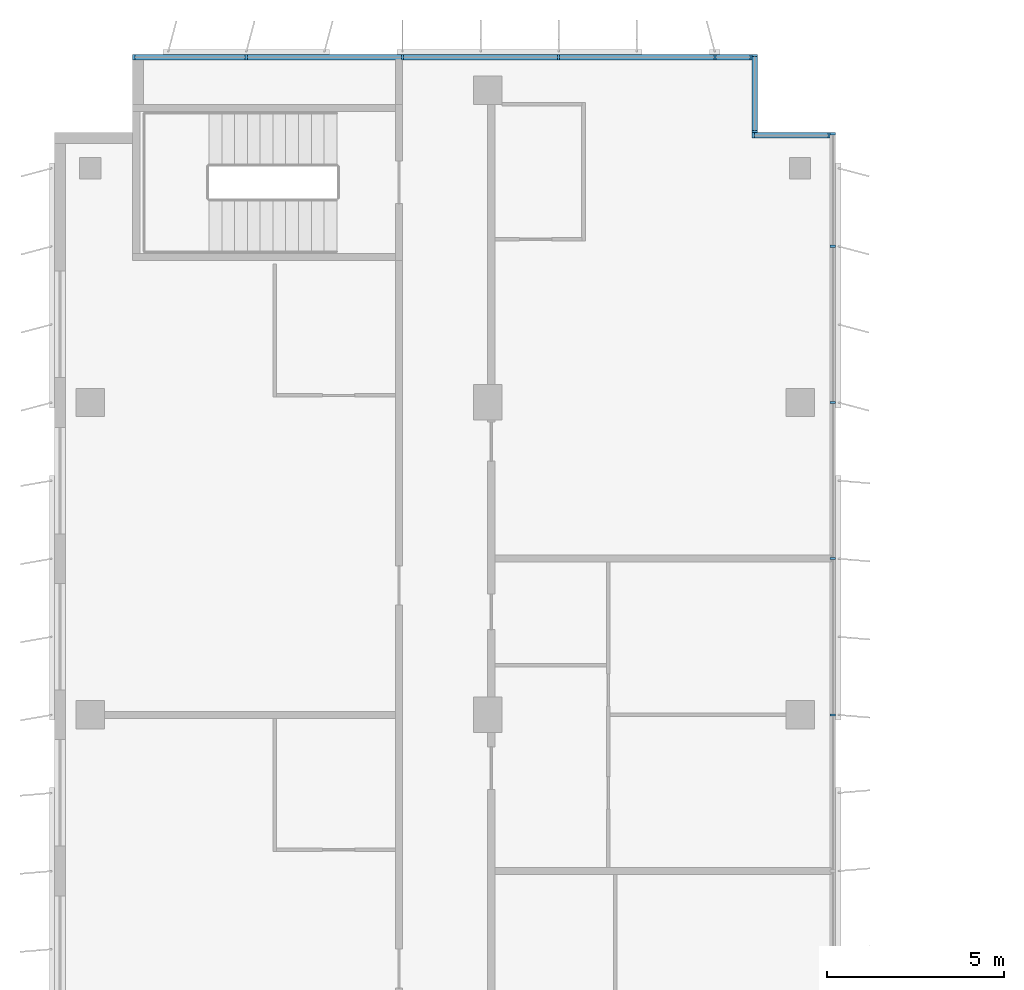
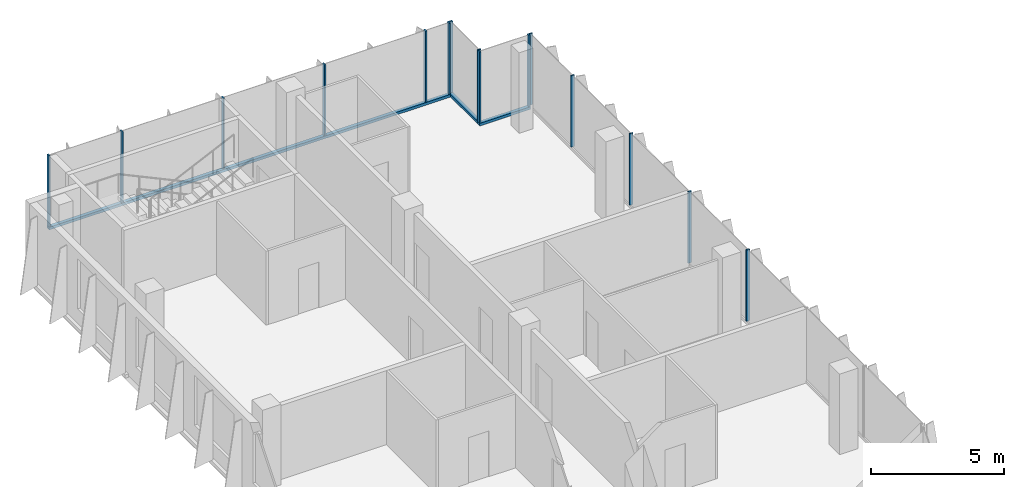
# One storey, part 6 of 15: 18 members, 4 elements without a shape of their own.
"""IFC4 building model written with IfcOpenShell, lengths in metres."""

from ifc_helpers import new_model, si_unit, direction, frame, origin, origin_2d, place, context, subcontext, project, spatial, rectangle, extrude, source, transform, mapped, material, material_profile, profile_set, type_object, element, aggregate, save


model = new_model("IFC4")

# Units and contexts
model_context = context("Model", 3, precision=1e-05, world=origin(), true_north=direction((0.0, 1.0)))
body_context = subcontext(model_context, "Body", "Model", "MODEL_VIEW")
ifc_project = project(units=[si_unit("LENGTHUNIT", "METRE"), si_unit("AREAUNIT", "SQUARE_METRE"), si_unit("VOLUMEUNIT", "CUBIC_METRE"), si_unit("PLANEANGLEUNIT", "RADIAN"), si_unit("MASSUNIT", "GRAM", prefix="KILO")], contexts=[model_context])

# Site, building, storey
site_placement = place(None, origin())
site = spatial("IfcSite", under=ifc_project, at=site_placement, CompositionType="ELEMENT")
building_placement = place(site_placement, origin())
building = spatial("IfcBuilding", under=site, at=building_placement, Name="Kemantara Hotel Tower", CompositionType="ELEMENT")
storey_placement = place(building_placement, frame((0.0, 0.0, 264.800048828125)))
storey = spatial("IfcBuildingStorey", under=building, at=storey_placement, Name="L66", CompositionType="ELEMENT", Elevation=264.800048828125)

# Curtain wall, member
ifc_material_1 = material(Name="Low-E tinted double insulated glass 36 mm", Category="glass")
curtain_wall_type = type_object("IfcCurtainWallType", Name="TOWER CURTAIN WALL, FRONT FACES", PredefinedType="USERDEFINED", material=ifc_material_1)
curtain_wall_1_placement = place(storey_placement, origin())
curtain_wall_1 = element("IfcCurtainWall", 1, at=curtain_wall_1_placement, inside=storey, type_object=curtain_wall_type, Name="CW4 L66 T4-R02-1", ObjectType="TOWER CURTAIN WALL, FRONT FACES", PredefinedType="USERDEFINED")
ifc_material_2 = material(Name="Aluminium 6063-T6 bronze anodised", Category="aluminium")
ifc_material_profile_1 = material_profile(ifc_material_2, rectangle(XDim=0.14990234375, YDim=0.1201171875, at=origin_2d()), Name="TOWER CURTAIN WALL, FRONT FACES TRANSOM")
ifc_profile_set_1 = profile_set([ifc_material_profile_1], Name="Aluminium 6063-T6 bronze anodised")
member_type_1 = type_object("IfcMemberType", Name="TOWER CURTAIN WALL, FRONT FACES TRANSOM", PredefinedType="USERDEFINED", material=ifc_profile_set_1)
member_1_placement = place(storey_placement, frame((19.64990234375, 63.52490234375, 0.06005859375), z_axis=(-1.0, 0.0, 0.0), x_axis=(0.0, -1.0, 0.0)))
member_1 = element("IfcMember", 2, at=member_1_placement, type_object=member_type_1, Name="CW4 sill transom T4-R02-1", ObjectType="TRANSOM", PredefinedType="USERDEFINED", context=body_context, shape_type="SweptSolid", body=[
    extrude(rectangle(XDim=0.14990234375, YDim=0.1201171875, at=origin_2d()), origin(), (0.0, 0.0, 1.0), 17.449951171875),
])

curtain_wall_2_placement = place(storey_placement, origin())
curtain_wall_2 = element("IfcCurtainWall", 3, at=curtain_wall_2_placement, inside=storey, type_object=curtain_wall_type, Name="CW4 L66 T4-R00-1", ObjectType="TOWER CURTAIN WALL, FRONT FACES", PredefinedType="USERDEFINED")
member_2_placement = place(storey_placement, frame((21.85009765625, 61.324951171875, 0.06005859375), z_axis=(-1.0, 0.0, 0.0), x_axis=(0.0, -1.0, 0.0)))
member_2 = element("IfcMember", 4, at=member_2_placement, type_object=member_type_1, Name="CW4 sill transom T4-R00-1", ObjectType="TRANSOM", PredefinedType="USERDEFINED", context=body_context, shape_type="SweptSolid", body=[
    extrude(rectangle(XDim=0.14990234375, YDim=0.1201171875, at=origin_2d()), origin(), (0.0, 0.0, 1.0), 2.2001953125),
])

curtain_wall_3_placement = place(storey_placement, origin())
curtain_wall_3 = element("IfcCurtainWall", 5, at=curtain_wall_3_placement, inside=storey, type_object=curtain_wall_type, Name="CW4 L66 T4-R01-1", ObjectType="TOWER CURTAIN WALL, FRONT FACES", PredefinedType="USERDEFINED")
member_3_placement = place(storey_placement, frame((19.72509765625, 61.39990234375, 0.06005859375), z_axis=(0.0, 1.0, 0.0), x_axis=(-1.0, 0.0, 0.0)))
member_3 = element("IfcMember", 6, at=member_3_placement, type_object=member_type_1, Name="CW4 sill transom T4-R01-1", ObjectType="TRANSOM", PredefinedType="USERDEFINED", context=body_context, shape_type="SweptSolid", body=[
    extrude(rectangle(XDim=0.14990234375, YDim=0.1201171875, at=origin_2d()), origin(), (0.0, 0.0, 1.0), 2.2001953125),
])

# Member
ifc_material_profile_2 = material_profile(ifc_material_2, rectangle(XDim=0.14990234375, YDim=0.06005859375, at=origin_2d()), Name="TOWER CURTAIN WALL, FRONT FACES MULLION")
ifc_profile_set_2 = profile_set([ifc_material_profile_2], Name="Aluminium 6063-T6 bronze anodised")
member_type_2 = type_object("IfcMemberType", Name="TOWER CURTAIN WALL, FRONT FACES MULLION", PredefinedType="MULLION", material=ifc_profile_set_2)
shared_shape = source(origin(), body_context, "Body", "SweptSolid", [
    extrude(rectangle(XDim=0.14990234375, YDim=0.06005859375, at=origin_2d()), origin(), (0.0, 0.0, 1.0), 3.280029296875),
])
member_4_placement = place(storey_placement, frame((19.6201171875, 63.52490234375, 0.119873046875), z_axis=(0.0, 0.0, 1.0), x_axis=(0.0, -1.0, 0.0)))
member_4 = element("IfcMember", 7, at=member_4_placement, type_object=member_type_2, Name="CW4 mullion T4-R02-1.1", PredefinedType="MULLION", context=body_context, shape_type="MappedRepresentation", body=[
    mapped(shared_shape, transform((0.0, 0.0, 0.0))),
])

member_5_placement = place(storey_placement, frame((18.60009765625, 63.52490234375, 0.119873046875), z_axis=(0.0, 0.0, 1.0), x_axis=(0.0, -1.0, 0.0)))
member_5 = element("IfcMember", 8, at=member_5_placement, type_object=member_type_2, Name="CW4 mullion T4-R02-1.2", PredefinedType="MULLION", context=body_context, shape_type="MappedRepresentation", body=[
    mapped(shared_shape, transform((0.0, 0.0, 0.0))),
])

member_6_placement = place(storey_placement, frame((14.199951171875, 63.52490234375, 0.119873046875), z_axis=(0.0, 0.0, 1.0), x_axis=(0.0, -1.0, 0.0)))
member_6 = element("IfcMember", 9, at=member_6_placement, type_object=member_type_2, Name="CW4 mullion T4-R02-1.3", PredefinedType="MULLION", context=body_context, shape_type="MappedRepresentation", body=[
    mapped(shared_shape, transform((0.0, 0.0, 0.0))),
])

member_7_placement = place(storey_placement, frame((9.800048828125, 63.52490234375, 0.119873046875), z_axis=(0.0, 0.0, 1.0), x_axis=(0.0, -1.0, 0.0)))
member_7 = element("IfcMember", 10, at=member_7_placement, type_object=member_type_2, Name="CW4 mullion T4-R02-1.4", PredefinedType="MULLION", context=body_context, shape_type="MappedRepresentation", body=[
    mapped(shared_shape, transform((0.0, 0.0, 0.0))),
])

member_8_placement = place(storey_placement, frame((5.39990234375, 63.52490234375, 0.119873046875), z_axis=(0.0, 0.0, 1.0), x_axis=(0.0, -1.0, 0.0)))
member_8 = element("IfcMember", 11, at=member_8_placement, type_object=member_type_2, Name="CW4 mullion T4-R02-1.5", PredefinedType="MULLION", context=body_context, shape_type="MappedRepresentation", body=[
    mapped(shared_shape, transform((0.0, 0.0, 0.0))),
])

member_9_placement = place(storey_placement, frame((2.22998046875, 63.52490234375, 0.119873046875), z_axis=(0.0, 0.0, 1.0), x_axis=(0.0, -1.0, 0.0)))
member_9 = element("IfcMember", 12, at=member_9_placement, type_object=member_type_2, Name="CW4 mullion T4-R02-1.6", PredefinedType="MULLION", context=body_context, shape_type="MappedRepresentation", body=[
    mapped(shared_shape, transform((0.0, 0.0, 0.0))),
])

aggregate(curtain_wall_1, [member_1, member_4, member_5, member_6, member_7, member_8, member_9])

# Curtain wall, members
curtain_wall_4_placement = place(storey_placement, origin())
curtain_wall_4 = element("IfcCurtainWall", 13, at=curtain_wall_4_placement, inside=storey, type_object=curtain_wall_type, Name="CW4 L66 T4-R15-1", ObjectType="TOWER CURTAIN WALL, FRONT FACES", PredefinedType="USERDEFINED")
member_10_placement = place(storey_placement, frame((21.925048828125, 45.0, 0.119873046875), z_axis=(0.0, 0.0, 1.0), x_axis=(-1.0, 0.0, 0.0)))
member_10 = element("IfcMember", 14, at=member_10_placement, type_object=member_type_2, Name="CW4 mullion T4-R15-1.6", PredefinedType="MULLION", context=body_context, shape_type="MappedRepresentation", body=[
    mapped(shared_shape, transform((0.0, 0.0, 0.0))),
])
member_11_placement = place(storey_placement, frame((21.925048828125, 49.39990234375, 0.119873046875), z_axis=(0.0, 0.0, 1.0), x_axis=(-1.0, 0.0, 0.0)))
member_11 = element("IfcMember", 15, at=member_11_placement, type_object=member_type_2, Name="CW4 mullion T4-R15-1.7", PredefinedType="MULLION", context=body_context, shape_type="MappedRepresentation", body=[
    mapped(shared_shape, transform((0.0, 0.0, 0.0))),
])
member_12_placement = place(storey_placement, frame((21.925048828125, 53.800048828125, 0.119873046875), z_axis=(0.0, 0.0, 1.0), x_axis=(-1.0, 0.0, 0.0)))
member_12 = element("IfcMember", 16, at=member_12_placement, type_object=member_type_2, Name="CW4 mullion T4-R15-1.8", PredefinedType="MULLION", context=body_context, shape_type="MappedRepresentation", body=[
    mapped(shared_shape, transform((0.0, 0.0, 0.0))),
])
member_13_placement = place(storey_placement, frame((21.925048828125, 58.199951171875, 0.119873046875), z_axis=(0.0, 0.0, 1.0), x_axis=(-1.0, 0.0, 0.0)))
member_13 = element("IfcMember", 17, at=member_13_placement, type_object=member_type_2, Name="CW4 mullion T4-R15-1.9", PredefinedType="MULLION", context=body_context, shape_type="MappedRepresentation", body=[
    mapped(shared_shape, transform((0.0, 0.0, 0.0))),
])
member_14_placement = place(storey_placement, frame((21.925048828125, 61.3701171875, 0.119873046875), z_axis=(0.0, 0.0, 1.0), x_axis=(-1.0, 0.0, 0.0)))
member_14 = element("IfcMember", 18, at=member_14_placement, type_object=member_type_2, Name="CW4 mullion T4-R15-1.10", PredefinedType="MULLION", context=body_context, shape_type="MappedRepresentation", body=[
    mapped(shared_shape, transform((0.0, 0.0, 0.0))),
])
aggregate(curtain_wall_4, [member_10, member_11, member_12, member_13, member_14])

# Member
member_15_placement = place(storey_placement, frame((21.820068359375, 61.324951171875, 0.119873046875), z_axis=(0.0, 0.0, 1.0), x_axis=(0.0, -1.0, 0.0)))
member_15 = element("IfcMember", 19, at=member_15_placement, type_object=member_type_2, Name="CW4 mullion T4-R00-1.1", PredefinedType="MULLION", context=body_context, shape_type="MappedRepresentation", body=[
    mapped(shared_shape, transform((0.0, 0.0, 0.0))),
])

member_16_placement = place(storey_placement, frame((19.679931640625, 61.324951171875, 0.119873046875), z_axis=(0.0, 0.0, 1.0), x_axis=(0.0, -1.0, 0.0)))
member_16 = element("IfcMember", 20, at=member_16_placement, type_object=member_type_2, Name="CW4 mullion T4-R00-1.2", PredefinedType="MULLION", context=body_context, shape_type="MappedRepresentation", body=[
    mapped(shared_shape, transform((0.0, 0.0, 0.0))),
])

aggregate(curtain_wall_2, [member_2, member_15, member_16])

member_17_placement = place(storey_placement, frame((19.72509765625, 61.429931640625, 0.119873046875), z_axis=(0.0, 0.0, 1.0), x_axis=(-1.0, 0.0, 0.0)))
member_17 = element("IfcMember", 21, at=member_17_placement, type_object=member_type_2, Name="CW4 mullion T4-R01-1.1", PredefinedType="MULLION", context=body_context, shape_type="MappedRepresentation", body=[
    mapped(shared_shape, transform((0.0, 0.0, 0.0))),
])

member_18_placement = place(storey_placement, frame((19.72509765625, 63.570068359375, 0.119873046875), z_axis=(0.0, 0.0, 1.0), x_axis=(-1.0, 0.0, 0.0)))
member_18 = element("IfcMember", 22, at=member_18_placement, type_object=member_type_2, Name="CW4 mullion T4-R01-1.2", PredefinedType="MULLION", context=body_context, shape_type="MappedRepresentation", body=[
    mapped(shared_shape, transform((0.0, 0.0, 0.0))),
])

aggregate(curtain_wall_3, [member_3, member_17, member_18])

save(model, "model.ifc")
